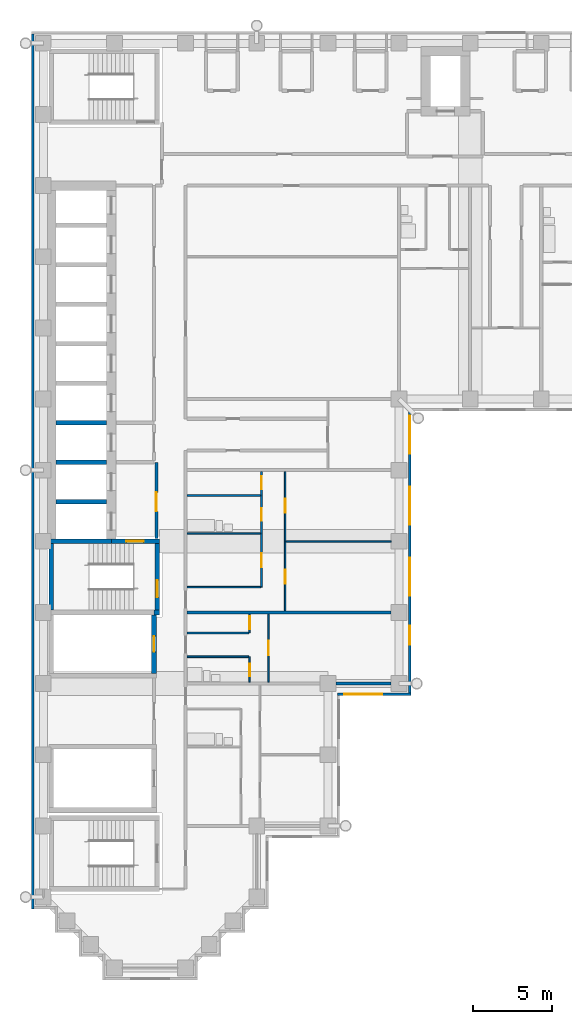
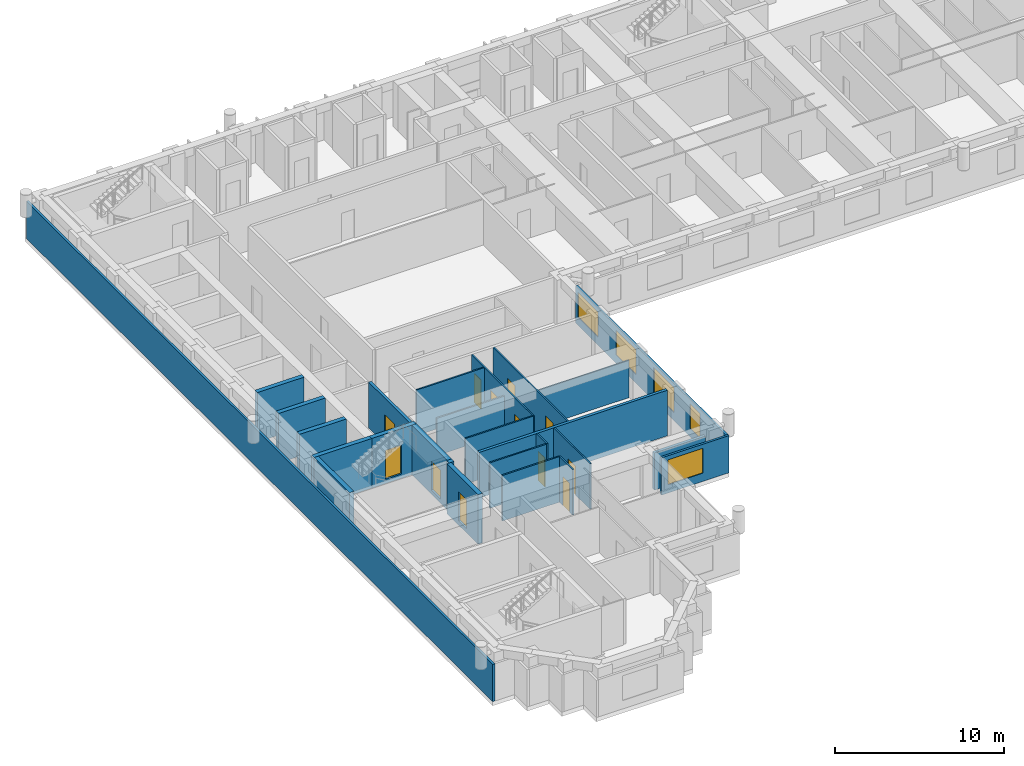
# One storey, part 6 of 15: 26 walls, 12 doors, 5 windows, 17 openings.
"""IFC4 building model written with IfcOpenShell, lengths in metres."""

from ifc_helpers import new_model, si_unit, direction, frame, frame_2d, origin, place, context, subcontext, project, spatial, rectangle, extrude, material, layer, layer_set, type_object, element, fill, save


model = new_model("IFC4")

# Units and contexts
model_context = context("Model", 3, precision=1e-05, world=origin(), true_north=direction((0.0, 1.0)))
body_context = subcontext(model_context, "Body", "Model", "MODEL_VIEW")
ifc_project = project(units=[si_unit("LENGTHUNIT", "METRE"), si_unit("AREAUNIT", "SQUARE_METRE"), si_unit("VOLUMEUNIT", "CUBIC_METRE"), si_unit("PLANEANGLEUNIT", "RADIAN"), si_unit("MASSUNIT", "GRAM", prefix="KILO")], contexts=[model_context])

# Site, building, storey
site_placement = place(None, origin())
site = spatial("IfcSite", under=ifc_project, at=site_placement, CompositionType="ELEMENT")
building_placement = place(site_placement, origin())
building = spatial("IfcBuilding", under=site, at=building_placement, Name="Firuza Court", CompositionType="ELEMENT")
storey_placement = place(building_placement, frame((0.0, 0.0, 137.60009765625)))
storey = spatial("IfcBuildingStorey", under=building, at=storey_placement, Name="L34", CompositionType="ELEMENT", Elevation=137.60009765625)

# Walls
ifc_material_1 = material(Name="Moisture-resistant gypsum board partition")
ifc_layer_1 = layer(ifc_material_1, 0.10009765625)
ifc_layer_set_1 = layer_set([ifc_layer_1], Name="Moisture-resistant gypsum board partition")
wall_type_1 = type_object("IfcWallType", Name="Bathroom partition 100", PredefinedType="PLUMBINGWALL", material=ifc_layer_set_1)
wall_1_placement = place(storey_placement, frame((9.10009765625, 19.699951171875, 0.0), z_axis=(0.0, 0.0, 1.0), x_axis=(1.0, 0.0, 0.0)))
element("IfcWall", 1, at=wall_1_placement, inside=storey, type_object=wall_type_1, Name="Bathroom partition 100 L34", PredefinedType="PLUMBINGWALL", context=body_context, shape_type="SweptSolid", body=[
    extrude(rectangle(XDim=3.89990234375, YDim=0.10009765625, at=frame_2d((1.949951171875, 0.0))), origin(), (0.0, 0.0, 1.0), 3.2998046875),
])
wall_2_placement = place(storey_placement, frame((9.10009765625, 27.5, 0.0), z_axis=(0.0, 0.0, 1.0), x_axis=(1.0, 0.0, 0.0)))
element("IfcWall", 2, at=wall_2_placement, inside=storey, type_object=wall_type_1, Name="Bathroom partition 100 L34", PredefinedType="PLUMBINGWALL", context=body_context, shape_type="SweptSolid", body=[
    extrude(rectangle(XDim=4.64990234375, YDim=0.10009765625, at=frame_2d((2.324951171875, 0.0))), origin(), (0.0, 0.0, 1.0), 2.699951171875),
])
wall_3_placement = place(storey_placement, frame((9.10009765625, 29.89990234375, 0.0), z_axis=(0.0, 0.0, 1.0), x_axis=(1.0, 0.0, 0.0)))
element("IfcWall", 3, at=wall_3_placement, inside=storey, type_object=wall_type_1, Name="Bathroom partition 100 L34", PredefinedType="PLUMBINGWALL", context=body_context, shape_type="SweptSolid", body=[
    extrude(rectangle(XDim=4.64990234375, YDim=0.10009765625, at=frame_2d((2.324951171875, 0.0))), origin(), (0.0, 0.0, 1.0), 3.2998046875),
])
ifc_material_2 = material(Name="Concrete C60/75", Category="concrete")
ifc_layer_2 = layer(ifc_material_2, 0.300048828125)
ifc_layer_set_2 = layer_set([ifc_layer_2], Name="Concrete C60/75")
wall_type_2 = type_object("IfcWallType", Name="Core wall 300 C60/75", PredefinedType="SHEAR", material=ifc_layer_set_2)
wall_4_placement = place(storey_placement, frame((0.35009765625, 27.0, -0.300048828125), z_axis=(0.0, 0.0, 1.0), x_axis=(1.0, 0.0, 0.0)))
element("IfcWall", 4, at=wall_4_placement, inside=storey, type_object=wall_type_2, Name="Core wall lift shaft L34", PredefinedType="SHEAR", context=body_context, shape_type="SweptSolid", body=[
    extrude(rectangle(XDim=3.949951171875, YDim=0.300048828125, at=frame_2d((1.97509765625, 0.0))), origin(), (0.0, 0.0, 1.0), 3.599853515625),
])
wall_5_placement = place(storey_placement, frame((0.5, 22.64990234375, -0.300048828125), z_axis=(0.0, 0.0, 1.0), x_axis=(0.0, 1.0, 0.0)))
element("IfcWall", 5, at=wall_5_placement, inside=storey, type_object=wall_type_2, Name="Core wall stair L34", PredefinedType="SHEAR", context=body_context, shape_type="SweptSolid", body=[
    extrude(rectangle(XDim=4.2001953125, YDim=0.300048828125, at=frame_2d((2.10009765625, 0.0))), origin(), (0.0, 0.0, 1.0), 3.599853515625),
])
for number, where, z_axis, x_axis, name in (
    (6, (0.800048828125, 29.5, -0.300048828125), (0.0, 0.0, 1.0), (1.0, 0.0, 0.0), "Core wall lift shaft L34"),
    (7, (0.800048828125, 32.0, -0.300048828125), (0.0, 0.0, 1.0), (1.0, 0.0, 0.0), "Core wall lift shaft L34"),
    (8, (0.800048828125, 34.5, -0.300048828125), (0.0, 0.0, 1.0), (1.0, 0.0, 0.0), "Core wall lift shaft L34"),
):
    element("IfcWall", number, at=place(storey_placement, frame(where, z_axis=z_axis, x_axis=x_axis)), inside=storey, type_object=wall_type_2, Name=name, PredefinedType="SHEAR", context=body_context, shape_type="SweptSolid", body=[
        extrude(rectangle(XDim=3.199951171875, YDim=0.300048828125, at=frame_2d((1.60009765625, 0.0))), origin(), (0.0, 0.0, 1.0), 3.599853515625),
    ])

# Wall, opening, door
wall_6_placement = place(storey_placement, frame((4.300048828125, 27.0, -0.300048828125), z_axis=(0.0, 0.0, 1.0), x_axis=(1.0, 0.0, 0.0)))
wall_6 = element("IfcWall", 9, at=wall_6_placement, inside=storey, type_object=wall_type_2, Name="Core wall stair L34", PredefinedType="SHEAR", context=body_context, shape_type="SweptSolid", body=[
    extrude(rectangle(XDim=3.050048828125, YDim=0.300048828125, at=frame_2d((1.52490234375, 0.0))), origin(), (0.0, 0.0, 1.0), 3.599853515625),
])
opening_1_placement = place(wall_6_placement, frame((0.949951171875, 0.0, 0.300048828125)))
opening_1 = element("IfcOpeningElement", 10, at=opening_1_placement, cuts=wall_6, Name="Opening D34013", PredefinedType="OPENING", context=body_context, shape_type="SweptSolid", body=[
    extrude(rectangle(XDim=1.10009765625, YDim=2.10009765625, at=frame_2d((0.550048828125, 1.050048828125))), frame((0.0, 0.162109375, 0.0), z_axis=(0.0, -1.0, 0.0), x_axis=(1.0, 0.0, 0.0)), (0.0, 0.0, 1.0), 0.323974609375),
])
ifc_material_3 = material(Name="Timber door leaf in hardwood frame", Category="wood")
door_type_1 = type_object("IfcDoorType", Name="Stair door 1100", OperationType="SINGLE_SWING_LEFT", PredefinedType="DOOR", material=ifc_material_3)
door_1_placement = place(opening_1_placement, frame((1.10009765625, 0.0, 0.0), z_axis=(0.0, 0.0, 1.0), x_axis=(-1.0, 0.0, 0.0)))
door_1 = element("IfcDoor", 11, at=door_1_placement, inside=storey, type_object=door_type_1, Name="Fire-fighting lobby door", OperationType="SINGLE_SWING_LEFT", OverallHeight=2.10009765625, OverallWidth=1.10009765625, PredefinedType="DOOR", context=body_context, shape_type="SweptSolid", body=[
    extrude(rectangle(XDim=1.10009765625, YDim=2.10009765625, at=frame_2d((0.550048828125, 1.050048828125))), frame((0.0, 0.02490234375, 0.0), z_axis=(0.0, -1.0, 0.0), x_axis=(1.0, 0.0, 0.0)), (0.0, 0.0, 1.0), 0.050048828125),
])
fill(opening_1, door_1)

wall_7_placement = place(storey_placement, frame((7.0, 18.64990234375, -0.300048828125), z_axis=(0.0, 0.0, 1.0), x_axis=(0.0, 1.0, 0.0)))
wall_7 = element("IfcWall", 12, at=wall_7_placement, inside=storey, type_object=wall_type_2, Name="Core wall riser L34", PredefinedType="SHEAR", context=body_context, shape_type="SweptSolid", body=[
    extrude(rectangle(XDim=3.7001953125, YDim=0.300048828125, at=frame_2d((1.85009765625, 0.0))), origin(), (0.0, 0.0, 1.0), 3.599853515625),
])
opening_2_placement = place(wall_7_placement, frame((1.35009765625, 0.0, 0.300048828125)))
opening_2 = element("IfcOpeningElement", 13, at=opening_2_placement, cuts=wall_7, Name="Opening D34009", PredefinedType="OPENING", context=body_context, shape_type="SweptSolid", body=[
    extrude(rectangle(XDim=1.0, YDim=2.10009765625, at=frame_2d((0.5, 1.050048828125))), frame((0.0, 0.162109375, 0.0), z_axis=(0.0, -1.0, 0.0), x_axis=(1.0, 0.0, 0.0)), (0.0, 0.0, 1.0), 0.323974609375),
])
ifc_material_4 = material(Name="Timber door leaf in hardwood frame", Category="wood")
door_type_2 = type_object("IfcDoorType", Name="Riser door 1000", OperationType="SINGLE_SWING_LEFT", PredefinedType="DOOR", material=ifc_material_4)
door_2_placement = place(opening_2_placement, origin())
door_2 = element("IfcDoor", 14, at=door_2_placement, inside=storey, type_object=door_type_2, Name="Riser door R1", OperationType="SINGLE_SWING_LEFT", OverallHeight=2.10009765625, OverallWidth=1.0, PredefinedType="DOOR", context=body_context, shape_type="SweptSolid", body=[
    extrude(rectangle(XDim=1.0, YDim=2.10009765625, at=frame_2d((0.5, 1.050048828125))), frame((0.0, 0.02490234375, 0.0), z_axis=(0.0, -1.0, 0.0), x_axis=(1.0, 0.0, 0.0)), (0.0, 0.0, 1.0), 0.050048828125),
])
fill(opening_2, door_2)

# Wall
wall_8_placement = place(storey_placement, frame((7.0, 22.5, -0.300048828125), z_axis=(0.0, 0.0, 1.0), x_axis=(1.0, 0.0, 0.0)))
element("IfcWall", 15, at=wall_8_placement, inside=storey, type_object=wall_type_2, Name="Core wall stair L34", PredefinedType="SHEAR", context=body_context, shape_type="SweptSolid", body=[
    extrude(rectangle(XDim=0.35009765625, YDim=0.300048828125, at=frame_2d((0.175048828125, 0.0))), origin(), (0.0, 0.0, 1.0), 3.599853515625),
])

# Wall, opening, door
wall_9_placement = place(storey_placement, frame((7.199951171875, 22.64990234375, -0.300048828125), z_axis=(0.0, 0.0, 1.0), x_axis=(0.0, 1.0, 0.0)))
wall_9 = element("IfcWall", 16, at=wall_9_placement, inside=storey, type_object=wall_type_2, Name="Core wall stair L34", PredefinedType="SHEAR", context=body_context, shape_type="SweptSolid", body=[
    extrude(rectangle(XDim=4.2001953125, YDim=0.300048828125, at=frame_2d((2.10009765625, 0.0))), origin(), (0.0, 0.0, 1.0), 3.599853515625),
])
opening_3_placement = place(wall_9_placement, frame((0.800048828125, 0.0, 0.300048828125)))
opening_3 = element("IfcOpeningElement", 17, at=opening_3_placement, cuts=wall_9, Name="Opening D34014", PredefinedType="OPENING", context=body_context, shape_type="SweptSolid", body=[
    extrude(rectangle(XDim=1.10009765625, YDim=2.10009765625, at=frame_2d((0.550048828125, 1.050048828125))), frame((0.0, 0.162109375, 0.0), z_axis=(0.0, -1.0, 0.0), x_axis=(1.0, 0.0, 0.0)), (0.0, 0.0, 1.0), 0.323974609375),
])
door_3_placement = place(opening_3_placement, origin())
door_3 = element("IfcDoor", 18, at=door_3_placement, inside=storey, type_object=door_type_1, Name="Stair door S2", OperationType="SINGLE_SWING_LEFT", OverallHeight=2.10009765625, OverallWidth=1.10009765625, PredefinedType="DOOR", context=body_context, shape_type="SweptSolid", body=[
    extrude(rectangle(XDim=1.10009765625, YDim=2.10009765625, at=frame_2d((0.550048828125, 1.050048828125))), frame((0.0, 0.02490234375, 0.0), z_axis=(0.0, -1.0, 0.0), x_axis=(1.0, 0.0, 0.0)), (0.0, 0.0, 1.0), 0.050048828125),
])
fill(opening_3, door_3)

ifc_material_5 = material(Name="Timber stud partition, plasterboard both sides", Category="wood")
ifc_layer_3 = layer(ifc_material_5, 0.10009765625)
ifc_layer_set_3 = layer_set([ifc_layer_3], Name="Timber stud partition, plasterboard both sides")
wall_type_3 = type_object("IfcWallType", Name="Partition wall 100", PredefinedType="PARTITIONING", material=ifc_layer_set_3)
wall_10_placement = place(storey_placement, frame((13.050048828125, 18.10009765625, 0.0), z_axis=(0.0, 0.0, 1.0), x_axis=(0.0, 1.0, 0.0)))
wall_10 = element("IfcWall", 19, at=wall_10_placement, inside=storey, type_object=wall_type_3, Name="Partition wall 100 L34", PredefinedType="PARTITIONING", context=body_context, shape_type="SweptSolid", body=[
    extrude(rectangle(XDim=1.599853515625, YDim=0.10009765625, at=frame_2d((0.7998046875, 0.0))), origin(), (0.0, 0.0, 1.0), 3.2998046875),
])
opening_4_placement = place(wall_10_placement, frame((0.35009765625, 0.0, 0.0)))
opening_4 = element("IfcOpeningElement", 20, at=opening_4_placement, cuts=wall_10, Name="Opening D34027", PredefinedType="OPENING", context=body_context, shape_type="SweptSolid", body=[
    extrude(rectangle(XDim=0.800048828125, YDim=2.10009765625, at=frame_2d((0.39990234375, 1.050048828125))), frame((0.0, 0.06201171875, 0.0), z_axis=(0.0, -1.0, 0.0), x_axis=(1.0, 0.0, 0.0)), (0.0, 0.0, 1.0), 0.1240234375),
])
ifc_material_6 = material(Name="Timber door leaf in hardwood frame", Category="wood")
door_type_3 = type_object("IfcDoorType", Name="Bathroom door 800", OperationType="SINGLE_SWING_LEFT", PredefinedType="DOOR", material=ifc_material_6)
door_4_placement = place(opening_4_placement, origin())
door_4 = element("IfcDoor", 21, at=door_4_placement, inside=storey, type_object=door_type_3, Name="Bathroom door", OperationType="SINGLE_SWING_LEFT", OverallHeight=2.10009765625, OverallWidth=0.800048828125, PredefinedType="DOOR", context=body_context, shape_type="SweptSolid", body=[
    extrude(rectangle(XDim=0.800048828125, YDim=2.10009765625, at=frame_2d((0.39990234375, 1.050048828125))), frame((0.0, 0.02490234375, 0.0), z_axis=(0.0, -1.0, 0.0), x_axis=(1.0, 0.0, 0.0)), (0.0, 0.0, 1.0), 0.050048828125),
])
fill(opening_4, door_4)

wall_11_placement = place(storey_placement, frame((14.25, 18.10009765625, 0.0), z_axis=(0.0, 0.0, 1.0), x_axis=(0.0, 1.0, 0.0)))
wall_11 = element("IfcWall", 22, at=wall_11_placement, inside=storey, type_object=wall_type_3, Name="Partition wall 100 L34", PredefinedType="PARTITIONING", context=body_context, shape_type="SweptSolid", body=[
    extrude(rectangle(XDim=4.2998046875, YDim=0.10009765625, at=frame_2d((2.14990234375, 0.0))), origin(), (0.0, 0.0, 1.0), 3.2998046875),
])
opening_5_placement = place(wall_11_placement, frame((1.699951171875, 0.0, 0.0)))
opening_5 = element("IfcOpeningElement", 23, at=opening_5_placement, cuts=wall_11, Name="Opening D34028", PredefinedType="OPENING", context=body_context, shape_type="SweptSolid", body=[
    extrude(rectangle(XDim=0.89990234375, YDim=2.10009765625, at=frame_2d((0.449951171875, 1.050048828125))), frame((0.0, 0.06201171875, 0.0), z_axis=(0.0, -1.0, 0.0), x_axis=(1.0, 0.0, 0.0)), (0.0, 0.0, 1.0), 0.1240234375),
])
ifc_material_7 = material(Name="Timber door leaf in hardwood frame", Category="wood")
door_type_4 = type_object("IfcDoorType", Name="Room door 900", OperationType="SINGLE_SWING_LEFT", PredefinedType="DOOR", material=ifc_material_7)
door_5_placement = place(opening_5_placement, frame((0.89990234375, 0.0, 0.0), z_axis=(0.0, 0.0, 1.0), x_axis=(-1.0, 0.0, 0.0)))
door_5 = element("IfcDoor", 24, at=door_5_placement, inside=storey, type_object=door_type_4, Name="Studio room door", OperationType="SINGLE_SWING_RIGHT", OverallHeight=2.10009765625, OverallWidth=0.89990234375, PredefinedType="DOOR", context=body_context, shape_type="SweptSolid", body=[
    extrude(rectangle(XDim=0.89990234375, YDim=2.10009765625, at=frame_2d((0.449951171875, 1.050048828125))), frame((0.0, 0.02490234375, 0.0), z_axis=(0.0, -1.0, 0.0), x_axis=(1.0, 0.0, 0.0)), (0.0, 0.0, 1.0), 0.050048828125),
])
fill(opening_5, door_5)

# Wall
wall_12_placement = place(storey_placement, frame((9.10009765625, 21.199951171875, 0.0), z_axis=(0.0, 0.0, 1.0), x_axis=(1.0, 0.0, 0.0)))
element("IfcWall", 25, at=wall_12_placement, inside=storey, type_object=wall_type_3, Name="Partition wall 100 L34", PredefinedType="PARTITIONING", context=body_context, shape_type="SweptSolid", body=[
    extrude(rectangle(XDim=3.89990234375, YDim=0.10009765625, at=frame_2d((1.949951171875, 0.0))), origin(), (0.0, 0.0, 1.0), 3.2998046875),
])

# Wall, opening, door
wall_13_placement = place(storey_placement, frame((13.050048828125, 21.199951171875, 0.0), z_axis=(0.0, 0.0, 1.0), x_axis=(0.0, 1.0, 0.0)))
wall_13 = element("IfcWall", 26, at=wall_13_placement, inside=storey, type_object=wall_type_3, Name="Partition wall 100 L34", PredefinedType="PARTITIONING", context=body_context, shape_type="SweptSolid", body=[
    extrude(rectangle(XDim=1.199951171875, YDim=0.10009765625, at=frame_2d((0.60009765625, 0.0))), origin(), (0.0, 0.0, 1.0), 3.2998046875),
])
opening_6_placement = place(wall_13_placement, frame((0.25, 0.0, 0.0)))
opening_6 = element("IfcOpeningElement", 27, at=opening_6_placement, cuts=wall_13, Name="Opening D34029", PredefinedType="OPENING", context=body_context, shape_type="SweptSolid", body=[
    extrude(rectangle(XDim=0.800048828125, YDim=2.10009765625, at=frame_2d((0.39990234375, 1.050048828125))), frame((0.0, 0.06201171875, 0.0), z_axis=(0.0, -1.0, 0.0), x_axis=(1.0, 0.0, 0.0)), (0.0, 0.0, 1.0), 0.1240234375),
])
ifc_material_8 = material(Name="Timber door leaf in hardwood frame", Category="wood")
door_type_5 = type_object("IfcDoorType", Name="Room door 800", OperationType="SINGLE_SWING_LEFT", PredefinedType="DOOR", material=ifc_material_8)
door_6_placement = place(opening_6_placement, origin())
door_6 = element("IfcDoor", 28, at=door_6_placement, inside=storey, type_object=door_type_5, Name="Kitchen door", OperationType="SINGLE_SWING_LEFT", OverallHeight=2.10009765625, OverallWidth=0.800048828125, PredefinedType="DOOR", context=body_context, shape_type="SweptSolid", body=[
    extrude(rectangle(XDim=0.800048828125, YDim=2.10009765625, at=frame_2d((0.39990234375, 1.050048828125))), frame((0.0, 0.02490234375, 0.0), z_axis=(0.0, -1.0, 0.0), x_axis=(1.0, 0.0, 0.0)), (0.0, 0.0, 1.0), 0.050048828125),
])
fill(opening_6, door_6)

# Wall, openings, doors
wall_14_placement = place(storey_placement, frame((15.300048828125, 22.60009765625, 0.0), z_axis=(0.0, 0.0, 1.0), x_axis=(0.0, 1.0, 0.0)))
wall_14 = element("IfcWall", 29, at=wall_14_placement, inside=storey, type_object=wall_type_3, Name="Partition wall 100 L34", PredefinedType="PARTITIONING", context=body_context, shape_type="SweptSolid", body=[
    extrude(rectangle(XDim=8.7998046875, YDim=0.10009765625, at=frame_2d((4.39990234375, 0.0))), origin(), (0.0, 0.0, 1.0), 3.2998046875),
])
opening_7_placement = place(wall_14_placement, frame((1.699951171875, 0.0, 0.0)))
opening_7 = element("IfcOpeningElement", 30, at=opening_7_placement, cuts=wall_14, Name="Opening D34030", PredefinedType="OPENING", context=body_context, shape_type="SweptSolid", body=[
    extrude(rectangle(XDim=0.89990234375, YDim=2.10009765625, at=frame_2d((0.449951171875, 1.050048828125))), frame((0.0, 0.06201171875, 0.0), z_axis=(0.0, -1.0, 0.0), x_axis=(1.0, 0.0, 0.0)), (0.0, 0.0, 1.0), 0.1240234375),
])
opening_8_placement = place(wall_14_placement, frame((6.199951171875, 0.0, 0.0)))
opening_8 = element("IfcOpeningElement", 31, at=opening_8_placement, cuts=wall_14, Name="Opening D34031", PredefinedType="OPENING", context=body_context, shape_type="SweptSolid", body=[
    extrude(rectangle(XDim=0.89990234375, YDim=2.10009765625, at=frame_2d((0.449951171875, 1.050048828125))), frame((0.0, 0.06201171875, 0.0), z_axis=(0.0, -1.0, 0.0), x_axis=(1.0, 0.0, 0.0)), (0.0, 0.0, 1.0), 0.1240234375),
])
door_7_placement = place(opening_7_placement, frame((0.89990234375, 0.0, 0.0), z_axis=(0.0, 0.0, 1.0), x_axis=(-1.0, 0.0, 0.0)))
door_7 = element("IfcDoor", 32, at=door_7_placement, inside=storey, type_object=door_type_4, Name="Living room door", OperationType="SINGLE_SWING_RIGHT", OverallHeight=2.10009765625, OverallWidth=0.89990234375, PredefinedType="DOOR", context=body_context, shape_type="SweptSolid", body=[
    extrude(rectangle(XDim=0.89990234375, YDim=2.10009765625, at=frame_2d((0.449951171875, 1.050048828125))), frame((0.0, 0.02490234375, 0.0), z_axis=(0.0, -1.0, 0.0), x_axis=(1.0, 0.0, 0.0)), (0.0, 0.0, 1.0), 0.050048828125),
])
fill(opening_7, door_7)
door_8_placement = place(opening_8_placement, frame((0.89990234375, 0.0, 0.0), z_axis=(0.0, 0.0, 1.0), x_axis=(-1.0, 0.0, 0.0)))
door_8 = element("IfcDoor", 33, at=door_8_placement, inside=storey, type_object=door_type_4, Name="Bedroom door", OperationType="SINGLE_SWING_RIGHT", OverallHeight=2.10009765625, OverallWidth=0.89990234375, PredefinedType="DOOR", context=body_context, shape_type="SweptSolid", body=[
    extrude(rectangle(XDim=0.89990234375, YDim=2.10009765625, at=frame_2d((0.449951171875, 1.050048828125))), frame((0.0, 0.02490234375, 0.0), z_axis=(0.0, -1.0, 0.0), x_axis=(1.0, 0.0, 0.0)), (0.0, 0.0, 1.0), 0.050048828125),
])
fill(opening_8, door_8)

# Wall
wall_15_placement = place(storey_placement, frame((9.10009765625, 24.10009765625, 0.0), z_axis=(0.0, 0.0, 1.0), x_axis=(1.0, 0.0, 0.0)))
element("IfcWall", 34, at=wall_15_placement, inside=storey, type_object=wall_type_3, Name="Partition wall 100 L34", PredefinedType="PARTITIONING", context=body_context, shape_type="SweptSolid", body=[
    extrude(rectangle(XDim=4.64990234375, YDim=0.10009765625, at=frame_2d((2.324951171875, 0.0))), origin(), (0.0, 0.0, 1.0), 3.2998046875),
])

# Wall, openings, doors
wall_16_placement = place(storey_placement, frame((13.800048828125, 24.10009765625, 0.0), z_axis=(0.0, 0.0, 1.0), x_axis=(0.0, 1.0, 0.0)))
wall_16 = element("IfcWall", 35, at=wall_16_placement, inside=storey, type_object=wall_type_3, Name="Partition wall 100 L34", PredefinedType="PARTITIONING", context=body_context, shape_type="SweptSolid", body=[
    extrude(rectangle(XDim=7.2998046875, YDim=0.10009765625, at=frame_2d((3.64990234375, 0.0))), origin(), (0.0, 0.0, 1.0), 3.2998046875),
])
opening_9_placement = place(wall_16_placement, frame((4.199951171875, 0.0, 0.0)))
opening_9 = element("IfcOpeningElement", 36, at=opening_9_placement, cuts=wall_16, Name="Opening D34032", PredefinedType="OPENING", context=body_context, shape_type="SweptSolid", body=[
    extrude(rectangle(XDim=0.800048828125, YDim=2.10009765625, at=frame_2d((0.39990234375, 1.050048828125))), frame((0.0, 0.06201171875, 0.0), z_axis=(0.0, -1.0, 0.0), x_axis=(1.0, 0.0, 0.0)), (0.0, 0.0, 1.0), 0.1240234375),
])
opening_10_placement = place(wall_16_placement, frame((1.25, 0.0, 0.0)))
opening_10 = element("IfcOpeningElement", 37, at=opening_10_placement, cuts=wall_16, Name="Opening D34033", PredefinedType="OPENING", context=body_context, shape_type="SweptSolid", body=[
    extrude(rectangle(XDim=0.89990234375, YDim=2.10009765625, at=frame_2d((0.449951171875, 1.050048828125))), frame((0.0, 0.06201171875, 0.0), z_axis=(0.0, -1.0, 0.0), x_axis=(1.0, 0.0, 0.0)), (0.0, 0.0, 1.0), 0.1240234375),
])
opening_11_placement = place(wall_16_placement, frame((6.199951171875, 0.0, 0.0)))
opening_11 = element("IfcOpeningElement", 38, at=opening_11_placement, cuts=wall_16, Name="Opening D34034", PredefinedType="OPENING", context=body_context, shape_type="SweptSolid", body=[
    extrude(rectangle(XDim=0.800048828125, YDim=2.10009765625, at=frame_2d((0.39990234375, 1.050048828125))), frame((0.0, 0.06201171875, 0.0), z_axis=(0.0, -1.0, 0.0), x_axis=(1.0, 0.0, 0.0)), (0.0, 0.0, 1.0), 0.1240234375),
])
door_9_placement = place(opening_9_placement, origin())
door_9 = element("IfcDoor", 39, at=door_9_placement, inside=storey, type_object=door_type_3, Name="Bathroom door", OperationType="SINGLE_SWING_LEFT", OverallHeight=2.10009765625, OverallWidth=0.800048828125, PredefinedType="DOOR", context=body_context, shape_type="SweptSolid", body=[
    extrude(rectangle(XDim=0.800048828125, YDim=2.10009765625, at=frame_2d((0.39990234375, 1.050048828125))), frame((0.0, 0.02490234375, 0.0), z_axis=(0.0, -1.0, 0.0), x_axis=(1.0, 0.0, 0.0)), (0.0, 0.0, 1.0), 0.050048828125),
])
fill(opening_9, door_9)
door_10_placement = place(opening_11_placement, origin())
door_10 = element("IfcDoor", 40, at=door_10_placement, inside=storey, type_object=door_type_5, Name="Store door", OperationType="SINGLE_SWING_LEFT", OverallHeight=2.10009765625, OverallWidth=0.800048828125, PredefinedType="DOOR", context=body_context, shape_type="SweptSolid", body=[
    extrude(rectangle(XDim=0.800048828125, YDim=2.10009765625, at=frame_2d((0.39990234375, 1.050048828125))), frame((0.0, 0.02490234375, 0.0), z_axis=(0.0, -1.0, 0.0), x_axis=(1.0, 0.0, 0.0)), (0.0, 0.0, 1.0), 0.050048828125),
])
fill(opening_11, door_10)
door_11_placement = place(opening_10_placement, origin())
door_11 = element("IfcDoor", 41, at=door_11_placement, inside=storey, type_object=door_type_4, Name="Kitchen door", OperationType="SINGLE_SWING_LEFT", OverallHeight=2.10009765625, OverallWidth=0.89990234375, PredefinedType="DOOR", context=body_context, shape_type="SweptSolid", body=[
    extrude(rectangle(XDim=0.89990234375, YDim=2.10009765625, at=frame_2d((0.449951171875, 1.050048828125))), frame((0.0, 0.02490234375, 0.0), z_axis=(0.0, -1.0, 0.0), x_axis=(1.0, 0.0, 0.0)), (0.0, 0.0, 1.0), 0.050048828125),
])
fill(opening_10, door_11)

# Walls
wall_17_placement = place(storey_placement, frame((15.35009765625, 27.0, 0.0), z_axis=(0.0, 0.0, 1.0), x_axis=(1.0, 0.0, 0.0)))
element("IfcWall", 42, at=wall_17_placement, inside=storey, type_object=wall_type_3, Name="Partition wall 100 L34", PredefinedType="PARTITIONING", context=body_context, shape_type="SweptSolid", body=[
    extrude(rectangle(XDim=6.64990234375, YDim=0.10009765625, at=frame_2d((3.324951171875, 0.0))), origin(), (0.0, 0.0, 1.0), 2.699951171875),
])
ifc_material_9 = material(Name="Blockwork, plastered both sides", Category="masonry")
ifc_layer_4 = layer(ifc_material_9, 0.199951171875)
ifc_layer_set_4 = layer_set([ifc_layer_4], Name="Blockwork, plastered both sides")
wall_type_4 = type_object("IfcWallType", Name="Party wall 200", PredefinedType="PARTITIONING", material=ifc_layer_set_4)
wall_18_placement = place(storey_placement, frame((18.5, 18.0, 0.0), z_axis=(0.0, 0.0, 1.0), x_axis=(1.0, 0.0, 0.0)))
element("IfcWall", 43, at=wall_18_placement, inside=storey, type_object=wall_type_4, Name="Party wall 200 L34", PredefinedType="PARTITIONING", context=body_context, shape_type="SweptSolid", body=[
    extrude(rectangle(XDim=3.5, YDim=0.199951171875, at=frame_2d((1.75, 0.0))), origin(), (0.0, 0.0, 1.0), 2.699951171875),
])
wall_19_placement = place(storey_placement, frame((9.10009765625, 22.5, 0.0), z_axis=(0.0, 0.0, 1.0), x_axis=(1.0, 0.0, 0.0)))
element("IfcWall", 44, at=wall_19_placement, inside=storey, type_object=wall_type_4, Name="Party wall 200 L34", PredefinedType="PARTITIONING", context=body_context, shape_type="SweptSolid", body=[
    extrude(rectangle(XDim=12.89990234375, YDim=0.199951171875, at=frame_2d((6.449951171875, 0.0))), origin(), (0.0, 0.0, 1.0), 3.2998046875),
])

# Wall, opening, window
ifc_material_10 = material(Name="Ceramic tile", Category="ceramic")
ifc_layer_5 = layer(ifc_material_10, 0.02001953125)
ifc_material_11 = material(Name="Mineral wool insulation", Category="insulation")
ifc_layer_6 = layer(ifc_material_11, 0.050048828125)
ifc_material_12 = material(Name="Concrete C40/50 precast", Category="concrete")
ifc_layer_7 = layer(ifc_material_12, 0.080078125)
ifc_layer_set_5 = layer_set([ifc_layer_5, ifc_layer_6, ifc_layer_7], Name="Concrete C40/50 precast")
wall_type_5 = type_object("IfcWallType", Name="Precast cladding wall with turquoise TILE PANEL face 150", PredefinedType="STANDARD", material=ifc_layer_set_5)
wall_20_placement = place(storey_placement, frame((18.60009765625, 17.324951171875, 0.0), z_axis=(0.0, 0.0, 1.0), x_axis=(1.0, 0.0, 0.0)))
wall_20 = element("IfcWall", 45, at=wall_20_placement, inside=storey, type_object=wall_type_5, Name="Facade wall L34 S", PredefinedType="STANDARD", context=body_context, shape_type="SweptSolid", body=[
    extrude(rectangle(XDim=4.64990234375, YDim=0.14990234375, at=frame_2d((2.324951171875, 0.0))), origin(), (0.0, 0.0, 1.0), 2.699951171875),
])
opening_12_placement = place(wall_20_placement, frame((0.449951171875, 0.0, 0.60009765625)))
opening_12 = element("IfcOpeningElement", 46, at=opening_12_placement, cuts=wall_20, Name="Opening W1", PredefinedType="OPENING", context=body_context, shape_type="SweptSolid", body=[
    extrude(rectangle(XDim=2.39990234375, YDim=1.800048828125, at=frame_2d((1.199951171875, 0.89990234375))), frame((0.0, 0.0869140625, 0.0), z_axis=(0.0, -1.0, 0.0), x_axis=(1.0, 0.0, 0.0)), (0.0, 0.0, 1.0), 0.173828125),
])
ifc_material_13 = material(Name="Aluminium frame, triple clear glazing", Category="aluminium")
window_type_1 = type_object("IfcWindowType", Name="Window W1 2400 x 1800", PartitioningType="SINGLE_PANEL", PredefinedType="WINDOW", material=ifc_material_13)
window_1_placement = place(opening_12_placement, origin())
window_1 = element("IfcWindow", 47, at=window_1_placement, inside=storey, type_object=window_type_1, Name="Window L34", OverallHeight=1.800048828125, OverallWidth=2.39990234375, PartitioningType="SINGLE_PANEL", PredefinedType="WINDOW", context=body_context, shape_type="SweptSolid", body=[
    extrude(rectangle(XDim=2.39990234375, YDim=1.800048828125, at=frame_2d((1.199951171875, 0.89990234375))), frame((0.0, 0.030029296875, 0.0), z_axis=(0.0, -1.0, 0.0), x_axis=(1.0, 0.0, 0.0)), (0.0, 0.0, 1.0), 0.06005859375),
])
fill(opening_12, window_1)

# Wall, openings, windows
wall_21_placement = place(storey_placement, frame((23.175048828125, 17.39990234375, 0.0), z_axis=(0.0, 0.0, 1.0), x_axis=(0.0, 1.0, 0.0)))
wall_21 = element("IfcWall", 48, at=wall_21_placement, inside=storey, type_object=wall_type_5, Name="Facade wall L34 E", PredefinedType="STANDARD", context=body_context, shape_type="SweptSolid", body=[
    extrude(rectangle(XDim=17.85009765625, YDim=0.14990234375, at=frame_2d((8.925048828125, 0.0))), origin(), (0.0, 0.0, 1.0), 2.699951171875),
])
opening_13_placement = place(wall_21_placement, frame((3.05029296875, 0.0, 0.60009765625)))
opening_13 = element("IfcOpeningElement", 49, at=opening_13_placement, cuts=wall_21, Name="Opening W8", PredefinedType="OPENING", context=body_context, shape_type="SweptSolid", body=[
    extrude(rectangle(XDim=1.199951171875, YDim=1.800048828125, at=frame_2d((0.60009765625, 0.89990234375))), frame((0.0, 0.0869140625, 0.0), z_axis=(0.0, -1.0, 0.0), x_axis=(1.0, 0.0, 0.0)), (0.0, 0.0, 1.0), 0.173828125),
])
opening_14_placement = place(wall_21_placement, frame((6.14990234375, 0.0, 0.60009765625)))
opening_14 = element("IfcOpeningElement", 50, at=opening_14_placement, cuts=wall_21, Name="Opening W1", PredefinedType="OPENING", context=body_context, shape_type="SweptSolid", body=[
    extrude(rectangle(XDim=2.39990234375, YDim=1.800048828125, at=frame_2d((1.199951171875, 0.89990234375))), frame((0.0, 0.0869140625, 0.0), z_axis=(0.0, -1.0, 0.0), x_axis=(1.0, 0.0, 0.0)), (0.0, 0.0, 1.0), 0.173828125),
])
opening_15_placement = place(wall_21_placement, frame((10.64990234375, 0.0, 0.60009765625)))
opening_15 = element("IfcOpeningElement", 51, at=opening_15_placement, cuts=wall_21, Name="Opening W1", PredefinedType="OPENING", context=body_context, shape_type="SweptSolid", body=[
    extrude(rectangle(XDim=2.39990234375, YDim=1.800048828125, at=frame_2d((1.199951171875, 0.89990234375))), frame((0.0, 0.0869140625, 0.0), z_axis=(0.0, -1.0, 0.0), x_axis=(1.0, 0.0, 0.0)), (0.0, 0.0, 1.0), 0.173828125),
])
opening_16_placement = place(wall_21_placement, frame((15.14990234375, 0.0, 0.60009765625)))
opening_16 = element("IfcOpeningElement", 52, at=opening_16_placement, cuts=wall_21, Name="Opening W1", PredefinedType="OPENING", context=body_context, shape_type="SweptSolid", body=[
    extrude(rectangle(XDim=2.39990234375, YDim=1.800048828125, at=frame_2d((1.199951171875, 0.89990234375))), frame((0.0, 0.0869140625, 0.0), z_axis=(0.0, -1.0, 0.0), x_axis=(1.0, 0.0, 0.0)), (0.0, 0.0, 1.0), 0.173828125),
])
window_2_placement = place(opening_14_placement, origin())
window_2 = element("IfcWindow", 53, at=window_2_placement, inside=storey, type_object=window_type_1, Name="Window L34", OverallHeight=1.800048828125, OverallWidth=2.39990234375, PartitioningType="SINGLE_PANEL", PredefinedType="WINDOW", context=body_context, shape_type="SweptSolid", body=[
    extrude(rectangle(XDim=2.39990234375, YDim=1.800048828125, at=frame_2d((1.199951171875, 0.89990234375))), frame((0.0, 0.030029296875, 0.0), z_axis=(0.0, -1.0, 0.0), x_axis=(1.0, 0.0, 0.0)), (0.0, 0.0, 1.0), 0.06005859375),
])
fill(opening_14, window_2)
window_3_placement = place(opening_15_placement, origin())
window_3 = element("IfcWindow", 54, at=window_3_placement, inside=storey, type_object=window_type_1, Name="Window L34", OverallHeight=1.800048828125, OverallWidth=2.39990234375, PartitioningType="SINGLE_PANEL", PredefinedType="WINDOW", context=body_context, shape_type="SweptSolid", body=[
    extrude(rectangle(XDim=2.39990234375, YDim=1.800048828125, at=frame_2d((1.199951171875, 0.89990234375))), frame((0.0, 0.030029296875, 0.0), z_axis=(0.0, -1.0, 0.0), x_axis=(1.0, 0.0, 0.0)), (0.0, 0.0, 1.0), 0.06005859375),
])
fill(opening_15, window_3)
window_4_placement = place(opening_16_placement, origin())
window_4 = element("IfcWindow", 55, at=window_4_placement, inside=storey, type_object=window_type_1, Name="Window L34", OverallHeight=1.800048828125, OverallWidth=2.39990234375, PartitioningType="SINGLE_PANEL", PredefinedType="WINDOW", context=body_context, shape_type="SweptSolid", body=[
    extrude(rectangle(XDim=2.39990234375, YDim=1.800048828125, at=frame_2d((1.199951171875, 0.89990234375))), frame((0.0, 0.030029296875, 0.0), z_axis=(0.0, -1.0, 0.0), x_axis=(1.0, 0.0, 0.0)), (0.0, 0.0, 1.0), 0.06005859375),
])
fill(opening_16, window_4)
ifc_material_14 = material(Name="Aluminium frame, triple clear glazing", Category="aluminium")
window_type_2 = type_object("IfcWindowType", Name="Window W8 1200 x 1800", PartitioningType="SINGLE_PANEL", PredefinedType="WINDOW", material=ifc_material_14)
window_5_placement = place(opening_13_placement, origin())
window_5 = element("IfcWindow", 56, at=window_5_placement, inside=storey, type_object=window_type_2, Name="Window L34", OverallHeight=1.800048828125, OverallWidth=1.199951171875, PartitioningType="SINGLE_PANEL", PredefinedType="WINDOW", context=body_context, shape_type="SweptSolid", body=[
    extrude(rectangle(XDim=1.199951171875, YDim=1.800048828125, at=frame_2d((0.60009765625, 0.89990234375))), frame((0.0, 0.030029296875, 0.0), z_axis=(0.0, -1.0, 0.0), x_axis=(1.0, 0.0, 0.0)), (0.0, 0.0, 1.0), 0.06005859375),
])
fill(opening_13, window_5)

# Wall
wall_22_placement = place(storey_placement, frame((-0.675048828125, 59.10009765625, 0.0), z_axis=(0.0, 0.0, 1.0), x_axis=(0.0, -1.0, 0.0)))
element("IfcWall", 57, at=wall_22_placement, inside=storey, type_object=wall_type_5, Name="Facade wall L34 W", PredefinedType="STANDARD", context=body_context, shape_type="SweptSolid", body=[
    extrude(rectangle(XDim=55.35009765625, YDim=0.14990234375, at=frame_2d((27.675048828125, 0.0))), origin(), (0.0, 0.0, 1.0), 2.699951171875),
])

# Wall, opening, door
ifc_material_15 = material(Name="Blockwork, fire-rated", Category="masonry")
ifc_layer_8 = layer(ifc_material_15, 0.199951171875)
ifc_layer_set_6 = layer_set([ifc_layer_8], Name="Blockwork, fire-rated")
wall_type_6 = type_object("IfcWallType", Name="Shaft wall 200", PredefinedType="PARTITIONING", material=ifc_layer_set_6)
wall_23_placement = place(storey_placement, frame((7.14990234375, 27.169921875, 0.0), z_axis=(0.0, 0.0, 1.0), x_axis=(0.0, 1.0, 0.0)))
wall_23 = element("IfcWall", 58, at=wall_23_placement, inside=storey, type_object=wall_type_6, Name="Shaft wall 200 L34", PredefinedType="PARTITIONING", context=body_context, shape_type="SweptSolid", body=[
    extrude(rectangle(XDim=4.830078125, YDim=0.199951171875, at=frame_2d((2.4150390625, 0.0))), origin(), (0.0, 0.0, 1.0), 3.2998046875),
])
opening_17_placement = place(wall_23_placement, frame((1.72998046875, 0.0, 0.0)))
opening_17 = element("IfcOpeningElement", 59, at=opening_17_placement, cuts=wall_23, Name="Opening D34002", PredefinedType="OPENING", context=body_context, shape_type="SweptSolid", body=[
    extrude(rectangle(XDim=1.199951171875, YDim=2.10009765625, at=frame_2d((0.60009765625, 1.050048828125))), frame((0.0, 0.11181640625, 0.0), z_axis=(0.0, -1.0, 0.0), x_axis=(1.0, 0.0, 0.0)), (0.0, 0.0, 1.0), 0.223876953125),
])
ifc_material_16 = material(Name="Timber door leaf in hardwood frame", Category="wood")
door_type_6 = type_object("IfcDoorType", Name="Lobby door 1200", OperationType="SINGLE_SWING_LEFT", PredefinedType="DOOR", material=ifc_material_16)
door_12_placement = place(opening_17_placement, origin())
door_12 = element("IfcDoor", 60, at=door_12_placement, inside=storey, type_object=door_type_6, Name="Fire-fighting lobby door", OperationType="SINGLE_SWING_LEFT", OverallHeight=2.10009765625, OverallWidth=1.199951171875, PredefinedType="DOOR", context=body_context, shape_type="SweptSolid", body=[
    extrude(rectangle(XDim=1.199951171875, YDim=2.10009765625, at=frame_2d((0.60009765625, 1.050048828125))), frame((0.0, 0.02490234375, 0.0), z_axis=(0.0, -1.0, 0.0), x_axis=(1.0, 0.0, 0.0)), (0.0, 0.0, 1.0), 0.050048828125),
])
fill(opening_17, door_12)

save(model, "model.ifc")
